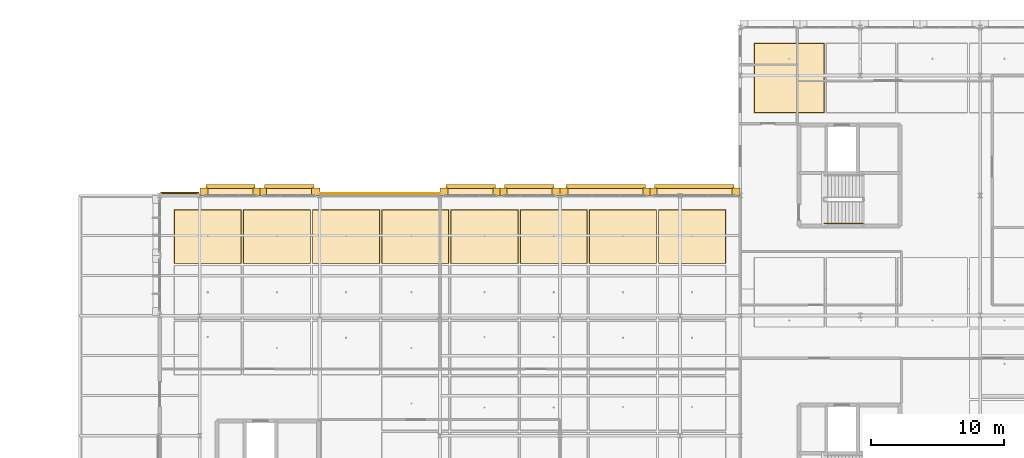
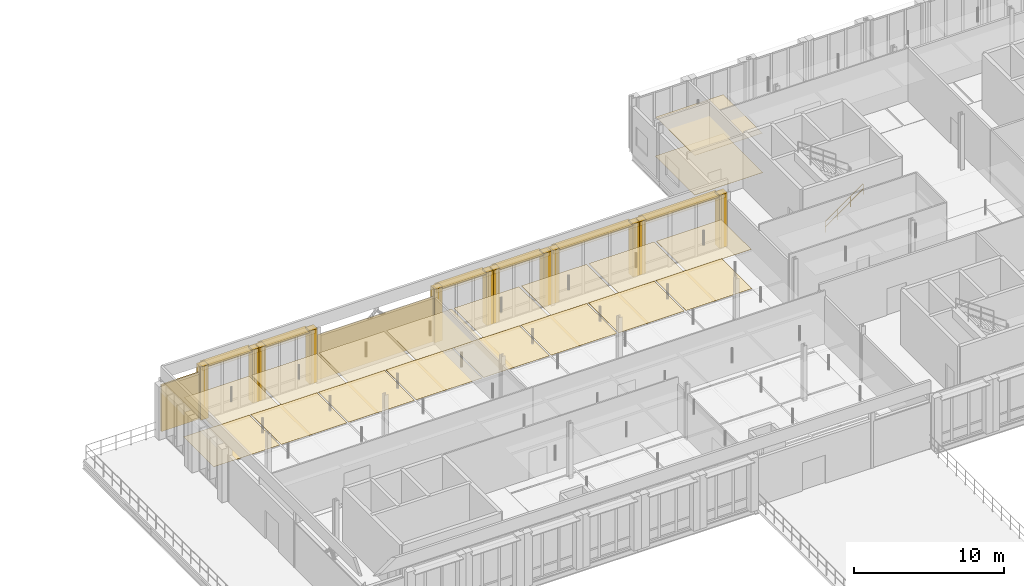
# One storey, part 86 of 89: 38 coverings, 6 shading devices, 1 railing.
"""IFC4 building model written with IfcOpenShell, lengths in metres."""

from ifc_helpers import new_model, si_unit, direction, frame, origin, origin_2d, place, context, subcontext, project, spatial, rectangle, circle, extrude, material, layer, layer_set, type_object, element, save


model = new_model("IFC4")

# Units and contexts
model_context = context("Model", 3, precision=1e-05, world=origin(), true_north=direction((0.0, 1.0)))
body_context = subcontext(model_context, "Body", "Model", "MODEL_VIEW")
ifc_project = project(units=[si_unit("LENGTHUNIT", "METRE"), si_unit("AREAUNIT", "SQUARE_METRE"), si_unit("VOLUMEUNIT", "CUBIC_METRE"), si_unit("PLANEANGLEUNIT", "RADIAN"), si_unit("MASSUNIT", "GRAM", prefix="KILO"), si_unit("THERMODYNAMICTEMPERATUREUNIT", "KELVIN"), si_unit("POWERUNIT", "WATT")], contexts=[model_context])

# Site, building, storey
site_placement = place(None, origin())
site = spatial("IfcSite", under=ifc_project, at=site_placement, CompositionType="ELEMENT")
building_placement = place(site_placement, origin())
building = spatial("IfcBuilding", under=site, at=building_placement, Name="Tallowbark Science Centre", CompositionType="ELEMENT")
storey_placement = place(building_placement, frame((0.0, 0.0, 14.39990234375)))
storey = spatial("IfcBuildingStorey", under=building, at=storey_placement, Name="L03", CompositionType="ELEMENT", Elevation=14.39990234375)

# Coverings
ifc_material_1 = material(Name="Mineral-Fibre Acoustic Ceiling Tile Grid")
ifc_layer_1 = layer(ifc_material_1, 0.01806640625)
ifc_layer_set_1 = layer_set([ifc_layer_1], Name="Mineral-Fibre Acoustic Ceiling Tile Grid")
covering_type_1 = type_object("IfcCoveringType", Name="CLG-ACT-18", PredefinedType="CEILING", material=ifc_layer_set_1)
covering_1_placement = place(storey_placement, frame((116.1875, 107.8212890625, 3.191162109375), z_axis=(0.0, 0.0, 1.0), x_axis=(1.0, 0.0, 0.0)))
element("IfcCovering", 1, at=covering_1_placement, inside=storey, type_object=covering_type_1, Name="Suspended Ceiling L03-1034", PredefinedType="CEILING", context=body_context, shape_type="SweptSolid", body=[
    extrude(rectangle(XDim=5.195068359375, YDim=5.177001953125, at=origin_2d()), origin(), (0.0, 0.0, 1.0), 0.01806640625),
])
ifc_material_2 = material(Name="Cleanable Vinyl-Faced Laboratory Ceiling Tile")
ifc_layer_2 = layer(ifc_material_2, 0.01611328125)
ifc_layer_set_2 = layer_set([ifc_layer_2], Name="Cleanable Vinyl-Faced Laboratory Ceiling Tile")
covering_type_2 = type_object("IfcCoveringType", Name="CLG-LAB-16", PredefinedType="CEILING", material=ifc_layer_set_2)
for number, where, z_axis, x_axis, name in (
    (2, (72.59375, 95.916748046875, 3.192138671875), (0.0, 0.0, 1.0), (1.0, 0.0, 0.0), "Suspended Ceiling L03-996"),
    (3, (77.78125, 95.916748046875, 3.192138671875), (0.0, 0.0, 1.0), (1.0, 0.0, 0.0), "Suspended Ceiling L03-999"),
    (4, (82.96875, 95.916748046875, 3.192138671875), (0.0, 0.0, 1.0), (1.0, 0.0, 0.0), "Suspended Ceiling L03-1002"),
    (5, (88.15625, 95.916748046875, 3.192138671875), (0.0, 0.0, 1.0), (1.0, 0.0, 0.0), "Suspended Ceiling L03-1008"),
    (6, (93.34375, 95.916748046875, 3.192138671875), (0.0, 0.0, 1.0), (1.0, 0.0, 0.0), "Suspended Ceiling L03-1014"),
    (7, (98.53125, 95.916748046875, 3.192138671875), (0.0, 0.0, 1.0), (1.0, 0.0, 0.0), "Suspended Ceiling L03-1020"),
    (8, (103.71875, 95.916748046875, 3.192138671875), (0.0, 0.0, 1.0), (1.0, 0.0, 0.0), "Suspended Ceiling L03-1026"),
    (9, (108.90625, 95.916748046875, 3.192138671875), (0.0, 0.0, 1.0), (1.0, 0.0, 0.0), "Suspended Ceiling L03-1032"),
):
    element("IfcCovering", number, at=place(storey_placement, frame(where, z_axis=z_axis, x_axis=x_axis)), inside=storey, type_object=covering_type_2, Name=name, PredefinedType="CEILING", context=body_context, shape_type="SweptSolid", body=[
        extrude(rectangle(XDim=5.007568359375, YDim=3.98681640625, at=origin_2d()), origin(), (0.0, 0.0, 1.0), 0.01611328125),
    ])
ifc_material_3 = material(Name="White Architectural Precast Concrete Grade N40 (40 MPa)", Category="concrete")
ifc_layer_3 = layer(ifc_material_3, 0.1201171875)
ifc_layer_set_3 = layer_set([ifc_layer_3], Name="White Architectural Precast Concrete Grade N40 (40 MPa)")
covering_type_3 = type_object("IfcCoveringType", Name="COV-PRC-CLAD", PredefinedType="CLADDING", material=ifc_layer_set_3)
covering_2_placement = place(storey_placement, frame((70.5, 99.18505859375, 0.0498046875), z_axis=(0.0, 0.0, 1.0), x_axis=(-1.0, 0.0, 0.0)))
element("IfcCovering", 10, at=covering_2_placement, inside=storey, type_object=covering_type_3, Name="Architectural Rainscreen LAB-N-L03-69", PredefinedType="CLADDING", context=body_context, shape_type="SweptSolid", body=[
    extrude(rectangle(XDim=2.8798828125, YDim=0.1201171875, at=origin_2d()), origin(), (0.0, 0.0, 1.0), 3.793701171875),
])
covering_3_placement = place(storey_placement, frame((80.695068359375, 99.280029296875, 0.0), z_axis=(0.0, 0.0, 1.0), x_axis=(-1.0, 0.0, 0.0)))
element("IfcCovering", 11, at=covering_3_placement, inside=storey, type_object=covering_type_3, Name="Postmodern Deep Precast Pier CW-L03-084-1", PredefinedType="CLADDING", context=body_context, shape_type="SweptSolid", body=[
    extrude(rectangle(XDim=0.610107421875, YDim=0.56005859375, at=origin_2d()), origin(), (0.0, 0.0, 1.0), 4.340087890625),
])
for number, where, z_axis, x_axis, name in (
    (12, (76.7548828125, 99.280029296875, 0.0), (0.0, 0.0, 1.0), (-1.0, 0.0, 0.0), "Postmodern Deep Precast Pier CW-L03-084-2"),
    (13, (76.2451171875, 99.280029296875, 0.0), (0.0, 0.0, 1.0), (-1.0, 0.0, 0.0), "Postmodern Deep Precast Pier CW-L03-085-1"),
):
    element("IfcCovering", number, at=place(storey_placement, frame(where, z_axis=z_axis, x_axis=x_axis)), inside=storey, type_object=covering_type_3, Name=name, PredefinedType="CLADDING", context=body_context, shape_type="SweptSolid", body=[
        extrude(rectangle(XDim=0.510009765625, YDim=0.56005859375, at=origin_2d()), origin(), (0.0, 0.0, 1.0), 4.340087890625),
    ])
for number, where, z_axis, x_axis, name in (
    (14, (72.304931640625, 99.280029296875, 0.0), (0.0, 0.0, 1.0), (-1.0, 0.0, 0.0), "Postmodern Deep Precast Pier CW-L03-085-2"),
    (15, (98.695068359375, 99.280029296875, 0.0), (0.0, 0.0, 1.0), (-1.0, 0.0, 0.0), "Postmodern Deep Precast Pier CW-L03-086-1"),
):
    element("IfcCovering", number, at=place(storey_placement, frame(where, z_axis=z_axis, x_axis=x_axis)), inside=storey, type_object=covering_type_3, Name=name, PredefinedType="CLADDING", context=body_context, shape_type="SweptSolid", body=[
        extrude(rectangle(XDim=0.610107421875, YDim=0.56005859375, at=origin_2d()), origin(), (0.0, 0.0, 1.0), 4.340087890625),
    ])
for number, where, z_axis, x_axis, name in (
    (16, (94.7548828125, 99.280029296875, 0.0), (0.0, 0.0, 1.0), (-1.0, 0.0, 0.0), "Postmodern Deep Precast Pier CW-L03-086-2"),
    (17, (94.2451171875, 99.280029296875, 0.0), (0.0, 0.0, 1.0), (-1.0, 0.0, 0.0), "Postmodern Deep Precast Pier CW-L03-087-1"),
):
    element("IfcCovering", number, at=place(storey_placement, frame(where, z_axis=z_axis, x_axis=x_axis)), inside=storey, type_object=covering_type_3, Name=name, PredefinedType="CLADDING", context=body_context, shape_type="SweptSolid", body=[
        extrude(rectangle(XDim=0.510009765625, YDim=0.56005859375, at=origin_2d()), origin(), (0.0, 0.0, 1.0), 4.340087890625),
    ])
for number, where, z_axis, x_axis, name in (
    (18, (90.304931640625, 99.280029296875, 0.0), (0.0, 0.0, 1.0), (-1.0, 0.0, 0.0), "Postmodern Deep Precast Pier CW-L03-087-2"),
    (19, (112.195068359375, 99.280029296875, 0.0), (0.0, 0.0, 1.0), (-1.0, 0.0, 0.0), "Postmodern Deep Precast Pier CW-L03-088-1"),
):
    element("IfcCovering", number, at=place(storey_placement, frame(where, z_axis=z_axis, x_axis=x_axis)), inside=storey, type_object=covering_type_3, Name=name, PredefinedType="CLADDING", context=body_context, shape_type="SweptSolid", body=[
        extrude(rectangle(XDim=0.610107421875, YDim=0.56005859375, at=origin_2d()), origin(), (0.0, 0.0, 1.0), 4.340087890625),
    ])
for number, where, z_axis, x_axis, name in (
    (20, (106.0048828125, 99.280029296875, 0.0), (0.0, 0.0, 1.0), (-1.0, 0.0, 0.0), "Postmodern Deep Precast Pier CW-L03-088-2"),
    (21, (105.4951171875, 99.280029296875, 0.0), (0.0, 0.0, 1.0), (-1.0, 0.0, 0.0), "Postmodern Deep Precast Pier CW-L03-089-1"),
):
    element("IfcCovering", number, at=place(storey_placement, frame(where, z_axis=z_axis, x_axis=x_axis)), inside=storey, type_object=covering_type_3, Name=name, PredefinedType="CLADDING", context=body_context, shape_type="SweptSolid", body=[
        extrude(rectangle(XDim=0.510009765625, YDim=0.56005859375, at=origin_2d()), origin(), (0.0, 0.0, 1.0), 4.340087890625),
    ])
covering_4_placement = place(storey_placement, frame((99.304931640625, 99.280029296875, 0.0), z_axis=(0.0, 0.0, 1.0), x_axis=(-1.0, 0.0, 0.0)))
element("IfcCovering", 22, at=covering_4_placement, inside=storey, type_object=covering_type_3, Name="Postmodern Deep Precast Pier CW-L03-089-2", PredefinedType="CLADDING", context=body_context, shape_type="SweptSolid", body=[
    extrude(rectangle(XDim=0.610107421875, YDim=0.56005859375, at=origin_2d()), origin(), (0.0, 0.0, 1.0), 4.340087890625),
])
ifc_material_4 = material(Name="Vitrified Ochre Terracotta Architectural Rainscreen", Category="masonry")
ifc_layer_4 = layer(ifc_material_4, 0.0380859375)
ifc_layer_set_4 = layer_set([ifc_layer_4], Name="Vitrified Ochre Terracotta Architectural Rainscreen")
covering_type_4 = type_object("IfcCoveringType", Name="COV-TER-CLAD", PredefinedType="CLADDING", material=ifc_layer_set_4)
for number, where, z_axis, x_axis, name in (
    (23, (78.699951171875, 99.260009765625, 3.990234375), (0.0, 0.0, 1.0), (-1.0, 0.0, 0.0), "Postmodern Terracotta Cornice Band CW-L03-084"),
    (24, (74.300048828125, 99.260009765625, 3.990234375), (0.0, 0.0, 1.0), (-1.0, 0.0, 0.0), "Postmodern Terracotta Cornice Band CW-L03-085"),
):
    element("IfcCovering", number, at=place(storey_placement, frame(where, z_axis=z_axis, x_axis=x_axis)), inside=storey, type_object=covering_type_4, Name=name, PredefinedType="CLADDING", context=body_context, shape_type="SweptSolid", body=[
        extrude(rectangle(XDim=4.300048828125, YDim=0.52001953125, at=origin_2d()), origin(), (0.0, 0.0, 1.0), 0.340087890625),
    ])
covering_5_placement = place(storey_placement, frame((85.5, 99.14404296875, 0.050048828125), z_axis=(0.0, 0.0, 1.0), x_axis=(-1.0, 0.0, 0.0)))
element("IfcCovering", 25, at=covering_5_placement, inside=storey, type_object=covering_type_4, Name="Architectural Rainscreen LAB-N-L03-81", PredefinedType="CLADDING", context=body_context, shape_type="SweptSolid", body=[
    extrude(rectangle(XDim=8.8798828125, YDim=0.0380859375, at=origin_2d()), origin(), (0.0, 0.0, 1.0), 3.6669921875),
])
for number, where, z_axis, x_axis, name in (
    (26, (96.699951171875, 99.260009765625, 3.990234375), (0.0, 0.0, 1.0), (-1.0, 0.0, 0.0), "Postmodern Terracotta Cornice Band CW-L03-086"),
    (27, (92.300048828125, 99.260009765625, 3.990234375), (0.0, 0.0, 1.0), (-1.0, 0.0, 0.0), "Postmodern Terracotta Cornice Band CW-L03-087"),
):
    element("IfcCovering", number, at=place(storey_placement, frame(where, z_axis=z_axis, x_axis=x_axis)), inside=storey, type_object=covering_type_4, Name=name, PredefinedType="CLADDING", context=body_context, shape_type="SweptSolid", body=[
        extrude(rectangle(XDim=4.300048828125, YDim=0.52001953125, at=origin_2d()), origin(), (0.0, 0.0, 1.0), 0.340087890625),
    ])
for number, where, z_axis, x_axis, name in (
    (28, (109.074951171875, 99.260009765625, 3.990234375), (0.0, 0.0, 1.0), (-1.0, 0.0, 0.0), "Postmodern Terracotta Cornice Band CW-L03-088"),
    (29, (102.425048828125, 99.260009765625, 3.990234375), (0.0, 0.0, 1.0), (-1.0, 0.0, 0.0), "Postmodern Terracotta Cornice Band CW-L03-089"),
):
    element("IfcCovering", number, at=place(storey_placement, frame(where, z_axis=z_axis, x_axis=x_axis)), inside=storey, type_object=covering_type_4, Name=name, PredefinedType="CLADDING", context=body_context, shape_type="SweptSolid", body=[
        extrude(rectangle(XDim=6.550048828125, YDim=0.52001953125, at=origin_2d()), origin(), (0.0, 0.0, 1.0), 0.340087890625),
    ])
ifc_material_5 = material(Name="Engineered Blackbutt Gallery Timber Flooring", Category="wood")
ifc_layer_5 = layer(ifc_material_5, 0.02197265625)
ifc_layer_set_5 = layer_set([ifc_layer_5], Name="Engineered Blackbutt Gallery Timber Flooring")
covering_type_5 = type_object("IfcCoveringType", Name="FLR-TIM-22", PredefinedType="FLOORING", material=ifc_layer_set_5)
covering_6_placement = place(storey_placement, frame((116.1875, 107.8212890625, 0.0), z_axis=(0.0, 0.0, 1.0), x_axis=(1.0, 0.0, 0.0)))
element("IfcCovering", 30, at=covering_6_placement, inside=storey, type_object=covering_type_5, Name="Floor Finish L03-1034", PredefinedType="FLOORING", context=body_context, shape_type="SweptSolid", body=[
    extrude(rectangle(XDim=5.2548828125, YDim=5.237060546875, at=origin_2d()), origin(), (0.0, 0.0, 1.0), 0.02197265625),
])
ifc_material_6 = material(Name="Chemical-Resistant Seamless Laboratory Vinyl")
ifc_layer_6 = layer(ifc_material_6, 0.011962890625)
ifc_layer_set_6 = layer_set([ifc_layer_6], Name="Chemical-Resistant Seamless Laboratory Vinyl")
covering_type_6 = type_object("IfcCoveringType", Name="FLR-VIN-12", PredefinedType="FLOORING", material=ifc_layer_set_6)
for number, where, z_axis, x_axis, name in (
    (31, (72.59375, 95.916748046875, 0.0), (0.0, 0.0, 1.0), (1.0, 0.0, 0.0), "Floor Finish L03-996"),
    (32, (77.78125, 95.916748046875, 0.0), (0.0, 0.0, 1.0), (1.0, 0.0, 0.0), "Floor Finish L03-999"),
    (33, (82.96875, 95.916748046875, 0.0), (0.0, 0.0, 1.0), (1.0, 0.0, 0.0), "Floor Finish L03-1002"),
    (34, (88.15625, 95.916748046875, 0.0), (0.0, 0.0, 1.0), (1.0, 0.0, 0.0), "Floor Finish L03-1008"),
    (35, (93.34375, 95.916748046875, 0.0), (0.0, 0.0, 1.0), (1.0, 0.0, 0.0), "Floor Finish L03-1014"),
    (36, (98.53125, 95.916748046875, 0.0), (0.0, 0.0, 1.0), (1.0, 0.0, 0.0), "Floor Finish L03-1020"),
    (37, (103.71875, 95.916748046875, 0.0), (0.0, 0.0, 1.0), (1.0, 0.0, 0.0), "Floor Finish L03-1026"),
    (38, (108.90625, 95.916748046875, 0.0), (0.0, 0.0, 1.0), (1.0, 0.0, 0.0), "Floor Finish L03-1032"),
):
    element("IfcCovering", number, at=place(storey_placement, frame(where, z_axis=z_axis, x_axis=x_axis)), inside=storey, type_object=covering_type_6, Name=name, PredefinedType="FLOORING", context=body_context, shape_type="SweptSolid", body=[
        extrude(rectangle(XDim=5.0673828125, YDim=4.046630859375, at=origin_2d()), origin(), (0.0, 0.0, 1.0), 0.011962890625),
    ])

# Railing
ifc_material_7 = material(Name="Brushed Grade 316 Stainless Steel Handrail", Category="steel")
ifc_layer_7 = layer(ifc_material_7, 0.050048828125)
ifc_layer_set_7 = layer_set([ifc_layer_7], Name="Brushed Grade 316 Stainless Steel Handrail")
railing_type = type_object("IfcRailingType", Name="RLG-HDR-950", PredefinedType="HANDRAIL", material=ifc_layer_set_7)
railing_placement = place(storey_placement, frame((118.81005859375, 96.89990234375, 0.1875)))
element("IfcRailing", 39, at=railing_placement, inside=storey, type_object=railing_type, Name="L03 ST-05 stair handrail 1", PredefinedType="HANDRAIL", context=body_context, shape_type="SweptSolid", body=[
    extrude(circle(Radius=0.02392578125, at=origin_2d()), frame((0.0, 0.0, 0.8759765625), z_axis=(0.816330724661, 0.0, 0.577584753931), x_axis=(0.0, 1.0, 0.0)), (0.0, 0.0, 1.0), 3.57080078125),
    extrude(circle(Radius=0.02392578125, at=origin_2d()), frame((0.0, 0.0, 0.449951171875), z_axis=(0.816330724661, 0.0, 0.577584753931), x_axis=(0.0, 1.0, 0.0)), (0.0, 0.0, 1.0), 3.57080078125),
    extrude(circle(Radius=0.02099609375, at=origin_2d()), origin(), (0.0, 0.0, 1.0), 0.851806640625),
    extrude(circle(Radius=0.02099609375, at=origin_2d()), frame((0.9716796875, 0.0, 0.6875)), (0.0, 0.0, 1.0), 0.851806640625),
    extrude(circle(Radius=0.02099609375, at=origin_2d()), frame((1.943359375, 0.0, 1.375)), (0.0, 0.0, 1.0), 0.851806640625),
    extrude(circle(Radius=0.02099609375, at=origin_2d()), frame((2.9150390625, 0.0, 2.0625)), (0.0, 0.0, 1.0), 0.851806640625),
])

# Shading devices
ifc_material_8 = material(Name="Terracotta-Anodised Extruded Aluminium Sunshade Blade", Category="masonry")
ifc_layer_8 = layer(ifc_material_8, 0.054931640625)
ifc_layer_set_8 = layer_set([ifc_layer_8], Name="Terracotta-Anodised Extruded Aluminium Sunshade Blade")
shading_device_type = type_object("IfcShadingDeviceType", Name="SHD-LVR-300", PredefinedType="AWNING", material=ifc_layer_set_8)
for number, where, z_axis, x_axis, name in (
    (40, (78.699951171875, 99.419921875, 4.15283203125), (0.0, 0.0, 1.0), (-1.0, 0.0, 0.0), "Horizontal Solar Louvre Hood CW-L03-084"),
    (41, (74.300048828125, 99.419921875, 4.15283203125), (0.0, 0.0, 1.0), (-1.0, 0.0, 0.0), "Horizontal Solar Louvre Hood CW-L03-085"),
    (42, (96.699951171875, 99.419921875, 4.15283203125), (0.0, 0.0, 1.0), (-1.0, 0.0, 0.0), "Horizontal Solar Louvre Hood CW-L03-086"),
    (43, (92.300048828125, 99.419921875, 4.15283203125), (0.0, 0.0, 1.0), (-1.0, 0.0, 0.0), "Horizontal Solar Louvre Hood CW-L03-087"),
):
    element("IfcShadingDevice", number, at=place(storey_placement, frame(where, z_axis=z_axis, x_axis=x_axis)), inside=storey, type_object=shading_device_type, Name=name, PredefinedType="AWNING", context=body_context, shape_type="SweptSolid", body=[
        extrude(rectangle(XDim=3.699951171875, YDim=0.840087890625, at=origin_2d()), origin(), (0.0, 0.0, 1.0), 0.054931640625),
    ])
for number, where, z_axis, x_axis, name in (
    (44, (109.074951171875, 99.419921875, 4.15283203125), (0.0, 0.0, 1.0), (-1.0, 0.0, 0.0), "Horizontal Solar Louvre Hood CW-L03-088"),
    (45, (102.425048828125, 99.419921875, 4.15283203125), (0.0, 0.0, 1.0), (-1.0, 0.0, 0.0), "Horizontal Solar Louvre Hood CW-L03-089"),
):
    element("IfcShadingDevice", number, at=place(storey_placement, frame(where, z_axis=z_axis, x_axis=x_axis)), inside=storey, type_object=shading_device_type, Name=name, PredefinedType="AWNING", context=body_context, shape_type="SweptSolid", body=[
        extrude(rectangle(XDim=5.949951171875, YDim=0.840087890625, at=origin_2d()), origin(), (0.0, 0.0, 1.0), 0.054931640625),
    ])

save(model, "model.ifc")
